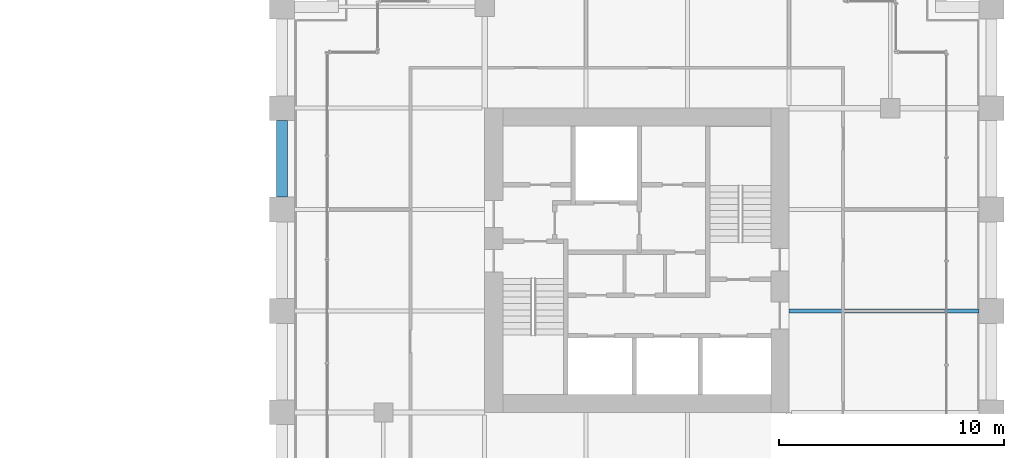
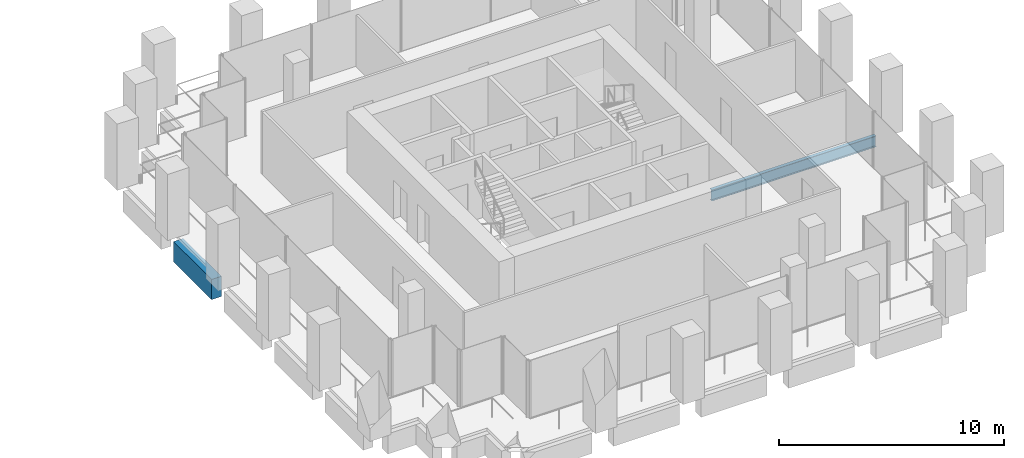
# One storey, part 39 of 54: 2 beams.
"""IFC4 building model written with IfcOpenShell, lengths in metres."""

from ifc_helpers import new_model, si_unit, direction, frame, origin, origin_2d, place, context, subcontext, project, spatial, rectangle, i_section, extrude, material, material_profile, profile_set, type_object, element, save


model = new_model("IFC4")

# Units and contexts
model_context = context("Model", 3, precision=1e-05, world=origin(), true_north=direction((0.0, 1.0)))
body_context = subcontext(model_context, "Body", "Model", "MODEL_VIEW")
ifc_project = project(units=[si_unit("LENGTHUNIT", "METRE"), si_unit("AREAUNIT", "SQUARE_METRE"), si_unit("VOLUMEUNIT", "CUBIC_METRE"), si_unit("PLANEANGLEUNIT", "RADIAN"), si_unit("MASSUNIT", "GRAM", prefix="KILO")], contexts=[model_context])

# Site, building, storey
site_placement = place(None, origin())
site = spatial("IfcSite", under=ifc_project, at=site_placement, CompositionType="ELEMENT")
building_placement = place(site_placement, origin())
building = spatial("IfcBuilding", under=site, at=building_placement, Name="Altepetl Exchange Towers", CompositionType="ELEMENT")
storey_placement = place(building_placement, frame((0.0, 0.0, 61.800048828125)))
storey = spatial("IfcBuildingStorey", under=building, at=storey_placement, Name="L14", CompositionType="ELEMENT", Elevation=61.800048828125)

# Beams
ifc_material_1 = material(Name="Steel S355", Category="steel")
ifc_material_profile_1 = material_profile(ifc_material_1, i_section(OverallWidth=0.177978515625, OverallDepth=0.59912109375, WebThickness=0.010009765625, FlangeThickness=0.0126953125, at=origin_2d()), Name="W24X55")
ifc_profile_set_1 = profile_set([ifc_material_profile_1], Name="Steel S355")
beam_type_1 = type_object("IfcBeamType", Name="Floor beam W24X55", PredefinedType="BEAM", material=ifc_profile_set_1)
beam_1_placement = place(storey_placement, frame((117.0, 40.5, -0.449462890625), z_axis=(1.0, 0.0, 0.0), x_axis=(0.0, 1.0, 0.0)))
element("IfcBeam", 1, at=beam_1_placement, inside=storey, type_object=beam_type_1, Name="bm:B:L14:006", PredefinedType="BEAM", context=body_context, shape_type="SweptSolid", body=[
    extrude(i_section(OverallWidth=0.177978515625, OverallDepth=0.59912109375, WebThickness=0.010009765625, FlangeThickness=0.0126953125, at=origin_2d()), origin(), (0.0, 0.0, 1.0), 8.449951171875),
])
ifc_material_2 = material(Name="Concrete C50/60 precast with cantera rosa facing", Category="concrete")
ifc_material_profile_2 = material_profile(ifc_material_2, rectangle(XDim=0.5, YDim=1.10009765625, at=origin_2d()), Name="500 x 1100")
ifc_profile_set_2 = profile_set([ifc_material_profile_2], Name="Concrete C50/60 precast with cantera rosa facing")
beam_type_2 = type_object("IfcBeamType", Name="Spandrel beam 500x1100 cantera rosa", PredefinedType="SPANDREL", material=ifc_profile_set_2)
beam_2_placement = place(storey_placement, frame((94.5, 48.949951171875, -0.699951171875), z_axis=(0.0, -1.0, 0.0), x_axis=(1.0, 0.0, 0.0)))
element("IfcBeam", 2, at=beam_2_placement, inside=storey, type_object=beam_type_2, Name="sp:B:L14:028", PredefinedType="SPANDREL", context=body_context, shape_type="SweptSolid", body=[
    extrude(rectangle(XDim=0.5, YDim=1.10009765625, at=origin_2d()), origin(), (0.0, 0.0, 1.0), 3.39990234375),
])

save(model, "model.ifc")
